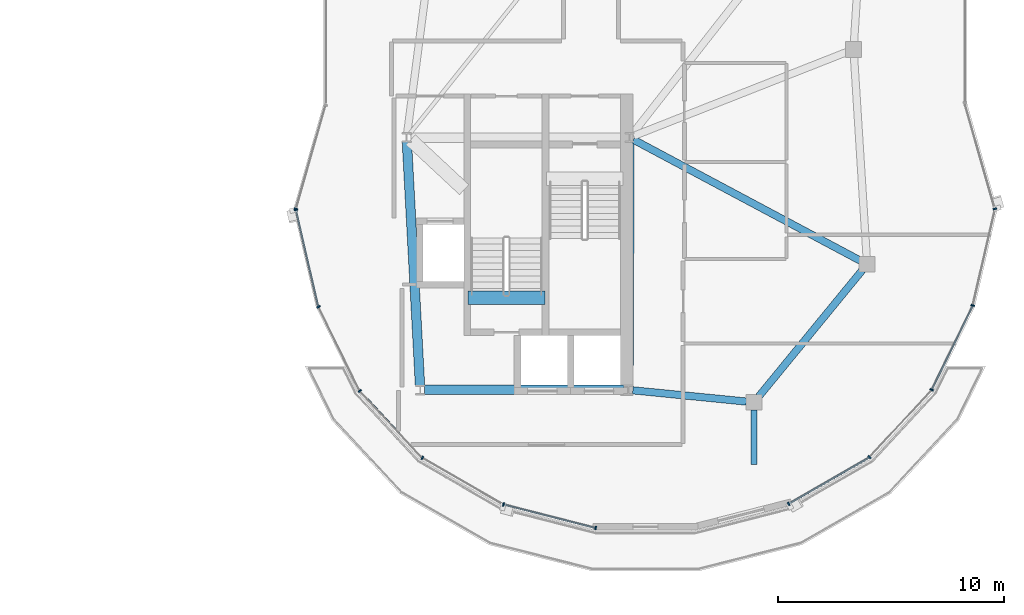
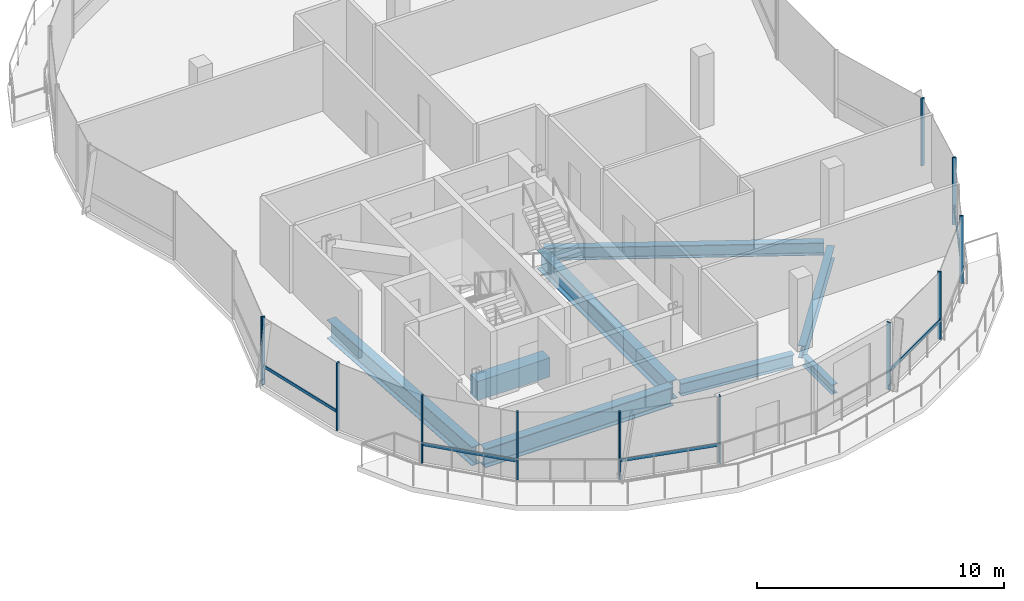
# One storey, part 6 of 20: 17 members, 8 beams, 3 elements without a shape of their own.
"""IFC4 building model written with IfcOpenShell, lengths in metres."""

from ifc_helpers import new_model, si_unit, direction, frame, origin, origin_2d, place, context, subcontext, project, spatial, rectangle, i_section, extrude, material, material_profile, profile_set, type_object, element, aggregate, save


model = new_model("IFC4")

# Units and contexts
model_context = context("Model", 3, precision=1e-05, world=origin(), true_north=direction((0.0, 1.0)))
body_context = subcontext(model_context, "Body", "Model", "MODEL_VIEW")
ifc_project = project(units=[si_unit("LENGTHUNIT", "METRE"), si_unit("AREAUNIT", "SQUARE_METRE"), si_unit("VOLUMEUNIT", "CUBIC_METRE"), si_unit("PLANEANGLEUNIT", "RADIAN"), si_unit("MASSUNIT", "GRAM", prefix="KILO"), si_unit("THERMODYNAMICTEMPERATUREUNIT", "KELVIN"), si_unit("POWERUNIT", "WATT")], contexts=[model_context])

# Site, building, storey
site_placement = place(None, origin())
site = spatial("IfcSite", under=ifc_project, at=site_placement, CompositionType="ELEMENT")
building_placement = place(site_placement, origin())
building = spatial("IfcBuilding", under=site, at=building_placement, Name="Cundina Bronze Exchange", CompositionType="ELEMENT")
storey_placement = place(building_placement, frame((0.0, 0.0, 279.199951171875)))
storey = spatial("IfcBuildingStorey", under=building, at=storey_placement, Name="L74", CompositionType="ELEMENT", Elevation=279.199951171875)

# Beams
ifc_material_1 = material(Name="Concrete C60/75", Category="concrete")
ifc_material_profile_1 = material_profile(ifc_material_1, rectangle(XDim=0.60009765625, YDim=0.949951171875, at=origin_2d()), Name="RC600X950", Category="concrete")
ifc_profile_set_1 = profile_set([ifc_material_profile_1], Name="Concrete C60/75")
beam_type_1 = type_object("IfcBeamType", Name="BM-COUP-RC950", PredefinedType="LINTEL", material=ifc_profile_set_1)
beam_1_placement = place(storey_placement, frame((24.159912109375, -10.97998046875, -0.474853515625), z_axis=(1.0, 0.0, 0.0), x_axis=(0.0, 1.0, 0.0)))
element("IfcBeam", 1, at=beam_1_placement, inside=storey, type_object=beam_type_1, Name="L74 Stair E2 Landing Header Beam", PredefinedType="LINTEL", context=body_context, shape_type="SweptSolid", body=[
    extrude(rectangle(XDim=0.60009765625, YDim=0.949951171875, at=origin_2d()), origin(), (0.0, 0.0, 1.0), 3.400146484375),
])
ifc_material_2 = material(Name="Steel ASTM A992 Grade 50", Category="steel")
ifc_material_profile_2 = material_profile(ifc_material_2, i_section(OverallWidth=0.280029296875, OverallDepth=0.462890625, WebThickness=0.0107421875, FlangeThickness=0.017333984375, FilletRadius=0.011962890625, at=origin_2d()), Name="W18X76", Category="steel")
ifc_profile_set_2 = profile_set([ifc_material_profile_2], Name="Steel ASTM A992 Grade 50")
beam_type_2 = type_object("IfcBeamType", Name="BM-FLR-W18A", PredefinedType="BEAM", material=ifc_profile_set_2)
beam_2_placement = place(storey_placement, frame((36.800048828125, -15.93798828125, -0.496337890625), z_axis=(0.0, -1.0, 0.0), x_axis=(1.0, 0.0, 0.0)))
element("IfcBeam", 2, at=beam_2_placement, inside=storey, type_object=beam_type_2, Name="L74 E Crown Terrace Edge Bracket 1", PredefinedType="BEAM", context=body_context, shape_type="SweptSolid", body=[
    extrude(i_section(OverallWidth=0.280029296875, OverallDepth=0.462890625, WebThickness=0.0107421875, FlangeThickness=0.017333984375, FilletRadius=0.011962890625, at=origin_2d()), origin(), (0.0, 0.0, 1.0), 2.412109375),
])
ifc_material_profile_3 = material_profile(ifc_material_2, i_section(OverallWidth=0.324951171875, OverallDepth=0.615966796875, WebThickness=0.013916015625, FlangeThickness=0.021484375, FilletRadius=0.01611328125, at=origin_2d()), Name="W24X117", Category="steel")
ifc_profile_set_3 = profile_set([ifc_material_profile_3], Name="Steel ASTM A992 Grade 50")
beam_type_3 = type_object("IfcBeamType", Name="BM-RING-W24", PredefinedType="USERDEFINED", material=ifc_profile_set_3)
beam_3_placement = place(storey_placement, frame((31.445068359375, -15.0693359375, -0.56787109375), z_axis=(0.995125942807, -0.098612159248, 0.0), x_axis=(0.098612159248, 0.995125942807, 0.0)))
element("IfcBeam", 3, at=beam_3_placement, inside=storey, type_object=beam_type_3, Name="L74 E Inner Structural Ring Girder 01", ObjectType="GIRDER", PredefinedType="USERDEFINED", context=body_context, shape_type="SweptSolid", body=[
    extrude(i_section(OverallWidth=0.324951171875, OverallDepth=0.615966796875, WebThickness=0.013916015625, FlangeThickness=0.021484375, FilletRadius=0.01611328125, at=origin_2d()), origin(), (0.0, 0.0, 1.0), 5.043212890625),
])
beam_4_placement = place(storey_placement, frame((37.014404296875, -15.338623046875, -0.56787109375), z_axis=(0.633916003783, 0.773401900791, 0.0), x_axis=(-0.773401900791, 0.633916003783, 0.0)))
element("IfcBeam", 4, at=beam_4_placement, inside=storey, type_object=beam_type_3, Name="L74 E Inner Structural Ring Girder 02", ObjectType="GIRDER", PredefinedType="USERDEFINED", context=body_context, shape_type="SweptSolid", body=[
    extrude(i_section(OverallWidth=0.324951171875, OverallDepth=0.615966796875, WebThickness=0.013916015625, FlangeThickness=0.021484375, FilletRadius=0.01611328125, at=origin_2d()), origin(), (0.0, 0.0, 1.0), 7.211181640625),
])
beam_5_placement = place(storey_placement, frame((31.472900390625, -3.9921875, -0.56787109375), z_axis=(0.882355319573, -0.470583775773, 0.0), x_axis=(0.470583775773, 0.882355319573, 0.0)))
element("IfcBeam", 5, at=beam_5_placement, inside=storey, type_object=beam_type_3, Name="L74 E Core-to-Waist Tie Beam 2", ObjectType="GIRDER", PredefinedType="USERDEFINED", context=body_context, shape_type="SweptSolid", body=[
    extrude(i_section(OverallWidth=0.324951171875, OverallDepth=0.615966796875, WebThickness=0.013916015625, FlangeThickness=0.021484375, FilletRadius=0.01611328125, at=origin_2d()), origin(), (0.0, 0.0, 1.0), 11.365966796875),
])
ifc_material_profile_4 = material_profile(ifc_material_2, i_section(OverallWidth=0.41796875, OverallDepth=0.927001953125, WebThickness=0.019287109375, FlangeThickness=0.031982421875, FilletRadius=0.02392578125, at=origin_2d()), Name="W36X231", Category="steel")
ifc_profile_set_4 = profile_set([ifc_material_profile_4], Name="Steel ASTM A992 Grade 50")
beam_type_4 = type_object("IfcBeamType", Name="BM-WRN-W36B", PredefinedType="USERDEFINED", material=ifc_profile_set_4)
beam_6_placement = place(storey_placement, frame((21.46044921875, -4.095703125, -0.723388671875), z_axis=(0.053749317644, -0.998554460634, 0.0), x_axis=(0.998554460634, 0.053749317644, 0.0)))
element("IfcBeam", 6, at=beam_6_placement, inside=storey, type_object=beam_type_4, Name="L74 E Core Perimeter Tie Girder 2", ObjectType="GIRDER", PredefinedType="USERDEFINED", context=body_context, shape_type="SweptSolid", body=[
    extrude(i_section(OverallWidth=0.41796875, OverallDepth=0.927001953125, WebThickness=0.019287109375, FlangeThickness=0.031982421875, FilletRadius=0.02392578125, at=origin_2d()), origin(), (0.0, 0.0, 1.0), 10.774169921875),
])
beam_7_placement = place(storey_placement, frame((22.24609375, -15.050048828125, -0.723388671875), z_axis=(1.0, 0.0, 0.0), x_axis=(0.0, 1.0, 0.0)))
element("IfcBeam", 7, at=beam_7_placement, inside=storey, type_object=beam_type_4, Name="L74 E Core Perimeter Tie Girder 3", ObjectType="GIRDER", PredefinedType="USERDEFINED", context=body_context, shape_type="SweptSolid", body=[
    extrude(i_section(OverallWidth=0.41796875, OverallDepth=0.927001953125, WebThickness=0.019287109375, FlangeThickness=0.031982421875, FilletRadius=0.02392578125, at=origin_2d()), origin(), (0.0, 0.0, 1.0), 8.807861328125),
])
beam_8_placement = place(storey_placement, frame((31.2509765625, -14.85400390625, -0.723388671875), z_axis=(0.004470623654, 0.999990006712, 0.0), x_axis=(-0.999990006712, 0.004470623654, 0.0)))
element("IfcBeam", 8, at=beam_8_placement, inside=storey, type_object=beam_type_4, Name="L74 E Core Perimeter Tie Girder 4", ObjectType="GIRDER", PredefinedType="USERDEFINED", context=body_context, shape_type="SweptSolid", body=[
    extrude(i_section(OverallWidth=0.41796875, OverallDepth=0.927001953125, WebThickness=0.019287109375, FlangeThickness=0.031982421875, FilletRadius=0.02392578125, at=origin_2d()), origin(), (0.0, 0.0, 1.0), 10.758056640625),
])

# Curtain wall, member
ifc_material_3 = material(Name="Anodised Bronze Aluminium 6063-T6", Category="aluminium")
curtain_wall_type = type_object("IfcCurtainWallType", Name="CWS-CRN-TMD", PredefinedType="NOTDEFINED", material=ifc_material_3)
curtain_wall_1_placement = place(storey_placement, origin())
curtain_wall_1 = element("IfcCurtainWall", 9, at=curtain_wall_1_placement, inside=storey, type_object=curtain_wall_type, Name="L74 CW-07 Curtain Wall Run CWR-L74-E2", PredefinedType="NOTDEFINED")
ifc_material_profile_5 = material_profile(ifc_material_3, rectangle(XDim=0.06494140625, YDim=0.159912109375, at=origin_2d()), Name="AL65X160", Category="aluminium")
ifc_profile_set_5 = profile_set([ifc_material_profile_5], Name="Anodised Bronze Aluminium 6063-T6")
member_type_1 = type_object("IfcMemberType", Name="CWM-MUL-160", PredefinedType="MULLION", material=ifc_profile_set_5)
member_1_placement = place(storey_placement, frame((16.5546875, -7.0517578125, 0.0), z_axis=(0.0, 0.0, 1.0), x_axis=(-0.274630573972, -0.961549815579, 0.0)))
member_1 = element("IfcMember", 10, at=member_1_placement, type_object=member_type_1, Name="CW-07 End Mullion", PredefinedType="MULLION", context=body_context, shape_type="SweptSolid", body=[
    extrude(rectangle(XDim=0.06494140625, YDim=0.159912109375, at=origin_2d()), origin(), (0.0, 0.0, 1.0), 3.340087890625),
])
aggregate(curtain_wall_1, [member_1])

# Curtain wall, members
curtain_wall_2_placement = place(storey_placement, origin())
curtain_wall_2 = element("IfcCurtainWall", 11, at=curtain_wall_2_placement, inside=storey, type_object=curtain_wall_type, Name="L74 CW-07 Curtain Wall Run CWR-L74-E3", PredefinedType="NOTDEFINED")
member_2_placement = place(storey_placement, frame((16.5537109375, -7.08984375, 0.0), z_axis=(0.0, 0.0, 1.0), x_axis=(0.225291159947, -0.974291482694, 0.0)))
member_2 = element("IfcMember", 12, at=member_2_placement, type_object=member_type_1, Name="CW-07 Mullion 1", PredefinedType="MULLION", context=body_context, shape_type="SweptSolid", body=[
    extrude(rectangle(XDim=0.06494140625, YDim=0.159912109375, at=origin_2d()), origin(), (0.0, 0.0, 1.0), 3.340087890625),
])
member_3_placement = place(storey_placement, frame((17.5537109375, -11.382080078125, 0.0), z_axis=(0.0, 0.0, 1.0), x_axis=(0.43915532554, -0.898411153119, 0.0)))
member_3 = element("IfcMember", 13, at=member_3_placement, type_object=member_type_1, Name="CW-07 Mullion 2", PredefinedType="MULLION", context=body_context, shape_type="SweptSolid", body=[
    extrude(rectangle(XDim=0.06494140625, YDim=0.159912109375, at=origin_2d()), origin(), (0.0, 0.0, 1.0), 3.340087890625),
])
member_4_placement = place(storey_placement, frame((19.380126953125, -15.097412109375, 0.0), z_axis=(0.0, 0.0, 1.0), x_axis=(0.680465121782, -0.732780470562, 0.0)))
member_4 = element("IfcMember", 14, at=member_4_placement, type_object=member_type_1, Name="CW-07 Mullion 3", PredefinedType="MULLION", context=body_context, shape_type="SweptSolid", body=[
    extrude(rectangle(XDim=0.06494140625, YDim=0.159912109375, at=origin_2d()), origin(), (0.0, 0.0, 1.0), 3.340087890625),
])
member_5_placement = place(storey_placement, frame((22.140380859375, -18.05615234375, 0.0), z_axis=(0.0, 0.0, 1.0), x_axis=(0.866461406284, -0.499244059975, 0.0)))
member_5 = element("IfcMember", 15, at=member_5_placement, type_object=member_type_1, Name="CW-07 Mullion 4", PredefinedType="MULLION", context=body_context, shape_type="SweptSolid", body=[
    extrude(rectangle(XDim=0.06494140625, YDim=0.159912109375, at=origin_2d()), origin(), (0.0, 0.0, 1.0), 3.340087890625),
])
member_6_placement = place(storey_placement, frame((25.727783203125, -20.11328125, 0.0), z_axis=(0.0, 0.0, 1.0), x_axis=(0.968756543371, -0.248013628006, 0.0)))
member_6 = element("IfcMember", 16, at=member_6_placement, type_object=member_type_1, Name="CW-07 Mullion 5", PredefinedType="MULLION", context=body_context, shape_type="SweptSolid", body=[
    extrude(rectangle(XDim=0.06494140625, YDim=0.159912109375, at=origin_2d()), origin(), (0.0, 0.0, 1.0), 3.340087890625),
])
member_7_placement = place(storey_placement, frame((29.802734375, -21.15673828125, 0.0), z_axis=(0.0, 0.0, 1.0), x_axis=(0.968756543371, -0.248013628006, 0.0)))
member_7 = element("IfcMember", 17, at=member_7_placement, type_object=member_type_1, Name="CW-07 End Mullion", PredefinedType="MULLION", context=body_context, shape_type="SweptSolid", body=[
    extrude(rectangle(XDim=0.06494140625, YDim=0.159912109375, at=origin_2d()), origin(), (0.0, 0.0, 1.0), 3.340087890625),
])

curtain_wall_3_placement = place(storey_placement, origin())
curtain_wall_3 = element("IfcCurtainWall", 18, at=curtain_wall_3_placement, inside=storey, type_object=curtain_wall_type, Name="L74 CW-07 Curtain Wall Run CWR-L74-E4", PredefinedType="NOTDEFINED")
member_8_placement = place(storey_placement, frame((38.33056640625, -20.089599609375, 0.0), z_axis=(0.0, 0.0, 1.0), x_axis=(0.866461406284, 0.499244059975, 0.0)))
member_8 = element("IfcMember", 19, at=member_8_placement, type_object=member_type_1, Name="CW-07 Mullion 1", PredefinedType="MULLION", context=body_context, shape_type="SweptSolid", body=[
    extrude(rectangle(XDim=0.06494140625, YDim=0.159912109375, at=origin_2d()), origin(), (0.0, 0.0, 1.0), 3.340087890625),
])
member_9_placement = place(storey_placement, frame((41.90673828125, -18.0185546875, 0.0), z_axis=(0.0, 0.0, 1.0), x_axis=(0.680465121782, 0.732780470562, 0.0)))
member_9 = element("IfcMember", 20, at=member_9_placement, type_object=member_type_1, Name="CW-07 Mullion 2", PredefinedType="MULLION", context=body_context, shape_type="SweptSolid", body=[
    extrude(rectangle(XDim=0.06494140625, YDim=0.159912109375, at=origin_2d()), origin(), (0.0, 0.0, 1.0), 3.340087890625),
])
member_10_placement = place(storey_placement, frame((44.654052734375, -15.047119140625, 0.0), z_axis=(0.0, 0.0, 1.0), x_axis=(0.43915532554, 0.898411153119, 0.0)))
member_10 = element("IfcMember", 21, at=member_10_placement, type_object=member_type_1, Name="CW-07 Mullion 3", PredefinedType="MULLION", context=body_context, shape_type="SweptSolid", body=[
    extrude(rectangle(XDim=0.06494140625, YDim=0.159912109375, at=origin_2d()), origin(), (0.0, 0.0, 1.0), 3.340087890625),
])
member_11_placement = place(storey_placement, frame((46.46875, -11.318115234375, 0.0), z_axis=(0.0, 0.0, 1.0), x_axis=(0.225291159947, 0.974291482694, 0.0)))
member_11 = element("IfcMember", 22, at=member_11_placement, type_object=member_type_1, Name="CW-07 Mullion 4", PredefinedType="MULLION", context=body_context, shape_type="SweptSolid", body=[
    extrude(rectangle(XDim=0.06494140625, YDim=0.159912109375, at=origin_2d()), origin(), (0.0, 0.0, 1.0), 3.340087890625),
])
member_12_placement = place(storey_placement, frame((47.4453125, -7.0517578125, 0.0), z_axis=(0.0, 0.0, 1.0), x_axis=(-0.274630573972, 0.961549815579, 0.0)))
member_12 = element("IfcMember", 23, at=member_12_placement, type_object=member_type_1, Name="CW-07 Mullion 5", PredefinedType="MULLION", context=body_context, shape_type="SweptSolid", body=[
    extrude(rectangle(XDim=0.06494140625, YDim=0.159912109375, at=origin_2d()), origin(), (0.0, 0.0, 1.0), 3.340087890625),
])

# Member
ifc_material_profile_6 = material_profile(ifc_material_3, rectangle(XDim=0.06494140625, YDim=0.14990234375, at=origin_2d()), Name="AL65X150", Category="aluminium")
ifc_profile_set_6 = profile_set([ifc_material_profile_6], Name="Anodised Bronze Aluminium 6063-T6")
member_type_2 = type_object("IfcMemberType", Name="CWM-TRN-150", PredefinedType="USERDEFINED", material=ifc_profile_set_6)
member_13_placement = place(storey_placement, frame((16.561767578125, -7.12451171875, 0.920166015625), z_axis=(0.225237460129, -0.97430389846, 0.0), x_axis=(0.97430389846, 0.225237460129, 0.0)))
member_13 = element("IfcMember", 24, at=member_13_placement, type_object=member_type_2, Name="CW-07 Spandrel Transom 1", ObjectType="TRANSOM", PredefinedType="USERDEFINED", context=body_context, shape_type="SweptSolid", body=[
    extrude(rectangle(XDim=0.06494140625, YDim=0.14990234375, at=origin_2d()), origin(), (0.0, 0.0, 1.0), 4.340087890625),
])

member_14_placement = place(storey_placement, frame((19.404541015625, -15.12353515625, 0.920166015625), z_axis=(0.680507467349, -0.732741145892, 0.0), x_axis=(0.732741145892, 0.680507467349, 0.0)))
member_14 = element("IfcMember", 25, at=member_14_placement, type_object=member_type_2, Name="CW-07 Spandrel Transom 3", ObjectType="TRANSOM", PredefinedType="USERDEFINED", context=body_context, shape_type="SweptSolid", body=[
    extrude(rectangle(XDim=0.06494140625, YDim=0.14990234375, at=origin_2d()), origin(), (0.0, 0.0, 1.0), 3.98681640625),
])

member_15_placement = place(storey_placement, frame((25.762451171875, -20.122314453125, 0.920166015625), z_axis=(0.968747952025, -0.248047183913, 0.0), x_axis=(0.248047183913, 0.968747952025, 0.0)))
member_15 = element("IfcMember", 26, at=member_15_placement, type_object=member_type_2, Name="CW-07 Spandrel Transom 5", ObjectType="TRANSOM", PredefinedType="USERDEFINED", context=body_context, shape_type="SweptSolid", body=[
    extrude(rectangle(XDim=0.06494140625, YDim=0.14990234375, at=origin_2d()), origin(), (0.0, 0.0, 1.0), 4.134765625),
])

aggregate(curtain_wall_2, [member_2, member_13, member_3, member_4, member_14, member_5, member_6, member_7, member_15])

member_16_placement = place(storey_placement, frame((38.361572265625, -20.07177734375, 0.920166015625), z_axis=(0.866429964967, 0.499298623879, 0.0), x_axis=(-0.499298623879, 0.866429964967, 0.0)))
member_16 = element("IfcMember", 27, at=member_16_placement, type_object=member_type_2, Name="CW-07 Spandrel Transom 1", ObjectType="TRANSOM", PredefinedType="USERDEFINED", context=body_context, shape_type="SweptSolid", body=[
    extrude(rectangle(XDim=0.06494140625, YDim=0.14990234375, at=origin_2d()), origin(), (0.0, 0.0, 1.0), 4.072998046875),
])

member_17_placement = place(storey_placement, frame((44.669921875, -15.01513671875, 0.920166015625), z_axis=(0.439225157516, 0.898377014958, 0.0), x_axis=(-0.898377014958, 0.439225157516, 0.0)))
member_17 = element("IfcMember", 28, at=member_17_placement, type_object=member_type_2, Name="CW-07 Spandrel Transom 3", ObjectType="TRANSOM", PredefinedType="USERDEFINED", context=body_context, shape_type="SweptSolid", body=[
    extrude(rectangle(XDim=0.06494140625, YDim=0.14990234375, at=origin_2d()), origin(), (0.0, 0.0, 1.0), 4.079833984375),
])

aggregate(curtain_wall_3, [member_8, member_16, member_9, member_10, member_17, member_11, member_12])

save(model, "model.ifc")
